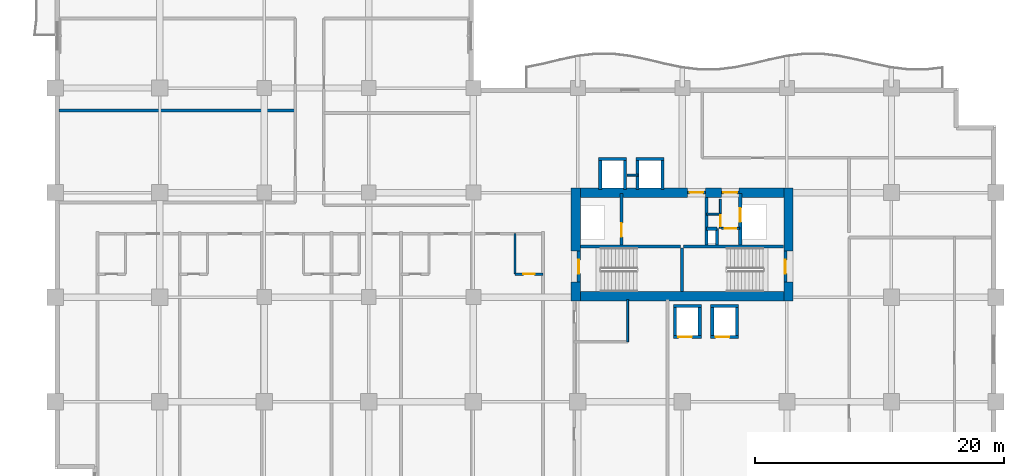
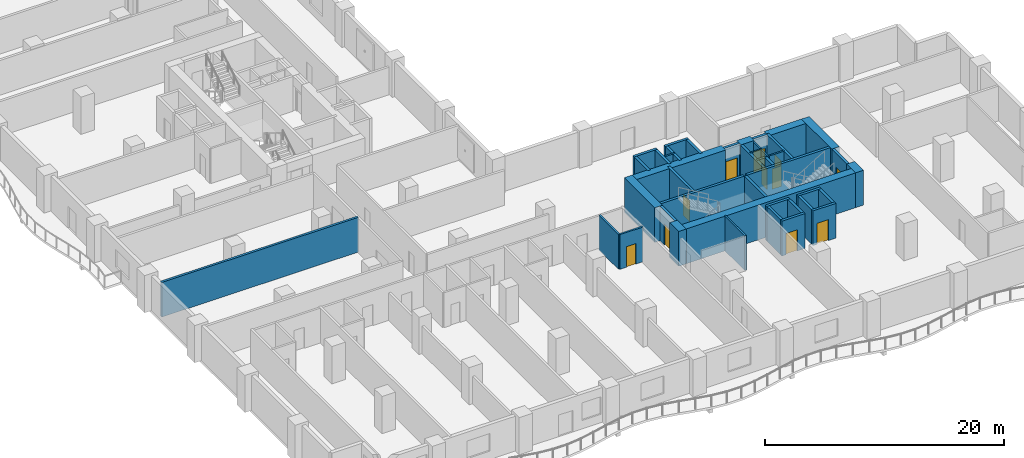
# One storey, part 5 of 17: 42 walls, 11 doors, 11 openings.
"""IFC4 building model written with IfcOpenShell, lengths in metres."""

from ifc_helpers import new_model, si_unit, direction, frame, frame_2d, origin, place, context, subcontext, project, spatial, rectangle, extrude, material, layer, layer_set, type_object, element, fill, save


model = new_model("IFC4")

# Units and contexts
model_context = context("Model", 3, precision=1e-05, world=origin(), true_north=direction((0.0, 1.0)))
body_context = subcontext(model_context, "Body", "Model", "MODEL_VIEW")
ifc_project = project(units=[si_unit("LENGTHUNIT", "METRE"), si_unit("AREAUNIT", "SQUARE_METRE"), si_unit("VOLUMEUNIT", "CUBIC_METRE"), si_unit("PLANEANGLEUNIT", "RADIAN"), si_unit("MASSUNIT", "GRAM", prefix="KILO")], contexts=[model_context])

# Site, building, storey
site_placement = place(None, origin())
site = spatial("IfcSite", under=ifc_project, at=site_placement, CompositionType="ELEMENT")
building_placement = place(site_placement, origin())
building = spatial("IfcBuilding", under=site, at=building_placement, Name="Koriwani Terraces Tower", CompositionType="ELEMENT")
storey_placement = place(building_placement, frame((0.0, 0.0, 122.800048828125)))
storey = spatial("IfcBuildingStorey", under=building, at=storey_placement, Name="L29", CompositionType="ELEMENT", Elevation=122.800048828125)

# Walls
ifc_material_1 = material(Name="Concrete C60/75", Category="concrete")
ifc_layer_1 = layer(ifc_material_1, 0.75, Name="Concrete C60/75")
ifc_layer_set_1 = layer_set([ifc_layer_1], Name="Concrete C60/75")
wall_type_1 = type_object("IfcWallType", Name="WALL_CORE_RC_750", PredefinedType="SHEAR", material=ifc_layer_set_1)
wall_1_placement = place(storey_placement, frame((41.824951171875, 16.5, 0.0), z_axis=(0.0, 0.0, 1.0), x_axis=(0.0, 1.0, 0.0)))
element("IfcWall", 1, at=wall_1_placement, inside=storey, type_object=wall_type_1, Name="L29 East Split Core Shear Wall W1", PredefinedType="SHEAR", context=body_context, shape_type="SweptSolid", body=[
    extrude(rectangle(XDim=1.5, YDim=0.75, at=frame_2d((0.75, 0.0))), origin(), (0.0, 0.0, 1.0), 3.550048828125),
])
wall_2_placement = place(storey_placement, frame((41.824951171875, 20.5, 0.0), z_axis=(0.0, 0.0, 1.0), x_axis=(0.0, 1.0, 0.0)))
element("IfcWall", 2, at=wall_2_placement, inside=storey, type_object=wall_type_1, Name="L29 East Split Core Shear Wall W2", PredefinedType="SHEAR", context=body_context, shape_type="SweptSolid", body=[
    extrude(rectangle(XDim=5.074951171875, YDim=0.75, at=frame_2d((2.53759765625, 0.0))), origin(), (0.0, 0.0, 1.0), 3.550048828125),
])
wall_3_placement = place(storey_placement, frame((58.925048828125, 16.5, 0.0), z_axis=(0.0, 0.0, 1.0), x_axis=(0.0, 1.0, 0.0)))
element("IfcWall", 3, at=wall_3_placement, inside=storey, type_object=wall_type_1, Name="L29 East Split Core Shear Wall E1", PredefinedType="SHEAR", context=body_context, shape_type="SweptSolid", body=[
    extrude(rectangle(XDim=1.5, YDim=0.75, at=frame_2d((0.75, 0.0))), origin(), (0.0, 0.0, 1.0), 3.550048828125),
])
wall_4_placement = place(storey_placement, frame((58.925048828125, 20.5, 0.0), z_axis=(0.0, 0.0, 1.0), x_axis=(0.0, 1.0, 0.0)))
element("IfcWall", 4, at=wall_4_placement, inside=storey, type_object=wall_type_1, Name="L29 East Split Core Shear Wall E2", PredefinedType="SHEAR", context=body_context, shape_type="SweptSolid", body=[
    extrude(rectangle(XDim=5.074951171875, YDim=0.75, at=frame_2d((2.53759765625, 0.0))), origin(), (0.0, 0.0, 1.0), 3.550048828125),
])
wall_5_placement = place(storey_placement, frame((42.199951171875, 16.875, 0.0), z_axis=(0.0, 0.0, 1.0), x_axis=(1.0, 0.0, 0.0)))
element("IfcWall", 5, at=wall_5_placement, inside=storey, type_object=wall_type_1, Name="L29 East Split Core Shear Wall S1", PredefinedType="SHEAR", context=body_context, shape_type="SweptSolid", body=[
    extrude(rectangle(XDim=16.35009765625, YDim=0.75, at=frame_2d((8.175048828125, 0.0))), origin(), (0.0, 0.0, 1.0), 3.550048828125),
])
wall_6_placement = place(storey_placement, frame((42.199951171875, 25.199951171875, 0.0), z_axis=(0.0, 0.0, 1.0), x_axis=(1.0, 0.0, 0.0)))
element("IfcWall", 6, at=wall_6_placement, inside=storey, type_object=wall_type_1, Name="L29 East Split Core Shear Wall N1", PredefinedType="SHEAR", context=body_context, shape_type="SweptSolid", body=[
    extrude(rectangle(XDim=8.60009765625, YDim=0.75, at=frame_2d((4.300048828125, 0.0))), origin(), (0.0, 0.0, 1.0), 3.550048828125),
])
wall_7_placement = place(storey_placement, frame((52.280029296875, 25.199951171875, 0.0), z_axis=(0.0, 0.0, 1.0), x_axis=(1.0, 0.0, 0.0)))
element("IfcWall", 7, at=wall_7_placement, inside=storey, type_object=wall_type_1, Name="L29 East Split Core Shear Wall N2", PredefinedType="SHEAR", context=body_context, shape_type="SweptSolid", body=[
    extrude(rectangle(XDim=1.27001953125, YDim=0.75, at=frame_2d((0.635009765625, 0.0))), origin(), (0.0, 0.0, 1.0), 3.550048828125),
])
wall_8_placement = place(storey_placement, frame((54.949951171875, 25.199951171875, 0.0), z_axis=(0.0, 0.0, 1.0), x_axis=(1.0, 0.0, 0.0)))
element("IfcWall", 8, at=wall_8_placement, inside=storey, type_object=wall_type_1, Name="L29 East Split Core Shear Wall N3", PredefinedType="SHEAR", context=body_context, shape_type="SweptSolid", body=[
    extrude(rectangle(XDim=3.60009765625, YDim=0.75, at=frame_2d((1.800048828125, 0.0))), origin(), (0.0, 0.0, 1.0), 3.550048828125),
])
ifc_material_2 = material(Name="Autoclaved Cellular Concrete Blockwork", Category="masonry")
ifc_layer_2 = layer(ifc_material_2, 0.219970703125, Name="Autoclaved Cellular Concrete Blockwork")
ifc_layer_set_2 = layer_set([ifc_layer_2], Name="Autoclaved Cellular Concrete Blockwork")
wall_type_2 = type_object("IfcWallType", Name="WALL_DEMISING_220", PredefinedType="PARTITIONING", material=ifc_layer_set_2)
wall_9_placement = place(storey_placement, frame((0.300048828125, 31.800048828125, 0.0), z_axis=(0.0, 0.0, 1.0), x_axis=(1.0, 0.0, 0.0)))
element("IfcWall", 9, at=wall_9_placement, inside=storey, type_object=wall_type_2, Name="L29 Interior Wall WC2NWCLM-L29", PredefinedType="PARTITIONING", context=body_context, shape_type="SweptSolid", body=[
    extrude(rectangle(XDim=19.0, YDim=0.219970703125, at=frame_2d((9.5, 0.0))), origin(), (0.0, 0.0, 1.0), 3.550048828125),
])

# Wall, opening, door
ifc_material_3 = material(Name="Fire-Rated Acoustic Gypsum Partition", Category="masonry")
ifc_layer_3 = layer(ifc_material_3, 0.179931640625, Name="Fire-Rated Acoustic Gypsum Partition")
ifc_layer_set_3 = layer_set([ifc_layer_3], Name="Fire-Rated Acoustic Gypsum Partition")
wall_type_3 = type_object("IfcWallType", Name="WALL_PLUMBING_180", PredefinedType="PLUMBINGWALL", material=ifc_layer_set_3)
wall_10_placement = place(storey_placement, frame((36.949951171875, 18.64990234375, 0.0), z_axis=(0.0, 0.0, 1.0), x_axis=(1.0, 0.0, 0.0)))
wall_10 = element("IfcWall", 10, at=wall_10_placement, inside=storey, type_object=wall_type_3, Name="L29 Interior Wall WBTH1-L29-SW-5", PredefinedType="PLUMBINGWALL", context=body_context, shape_type="SweptSolid", body=[
    extrude(rectangle(XDim=2.25, YDim=0.179931640625, at=frame_2d((1.125, 0.0))), origin(), (0.0, 0.0, 1.0), 3.550048828125),
])
opening_1_placement = place(wall_10_placement, frame((0.675048828125, 0.0, 0.0)))
opening_1 = element("IfcOpeningElement", 11, at=opening_1_placement, cuts=wall_10, Name="Opening D-07", PredefinedType="OPENING", context=body_context, shape_type="SweptSolid", body=[
    extrude(rectangle(XDim=0.89990234375, YDim=2.10009765625, at=frame_2d((0.449951171875, 1.050048828125))), frame((0.0, 0.10009765625, 0.0), z_axis=(0.0, -1.0, 0.0), x_axis=(1.0, 0.0, 0.0)), (0.0, 0.0, 1.0), 0.199951171875),
])
ifc_material_4 = material(Name="Architectural Oak Fire Door", Category="wood")
door_type_1 = type_object("IfcDoorType", Name="DOOR_BATH_INT_900X2100", OperationType="NOTDEFINED", PredefinedType="DOOR", material=ifc_material_4)
door_1_placement = place(opening_1_placement, origin())
door_1 = element("IfcDoor", 12, at=door_1_placement, inside=storey, type_object=door_type_1, Name="En-Suite Bathroom 29SW6 Door", OperationType="SINGLE_SWING_RIGHT", OverallHeight=2.10009765625, OverallWidth=0.89990234375, PredefinedType="DOOR", context=body_context, shape_type="SweptSolid", body=[
    extrude(rectangle(XDim=0.89990234375, YDim=2.10009765625, at=frame_2d((0.449951171875, 1.050048828125))), frame((0.0, 0.02490234375, 0.0), z_axis=(0.0, -1.0, 0.0), x_axis=(1.0, 0.0, 0.0)), (0.0, 0.0, 1.0), 0.050048828125),
])
fill(opening_1, door_1)

# Walls
wall_11_placement = place(storey_placement, frame((36.949951171875, 18.64990234375, 0.0), z_axis=(0.0, 0.0, 1.0), x_axis=(0.0, 1.0, 0.0)))
element("IfcWall", 13, at=wall_11_placement, inside=storey, type_object=wall_type_3, Name="L29 Interior Wall WBTH2-L29-SW-5", PredefinedType="PLUMBINGWALL", context=body_context, shape_type="SweptSolid", body=[
    extrude(rectangle(XDim=3.25, YDim=0.179931640625, at=frame_2d((1.625, 0.0))), origin(), (0.0, 0.0, 1.0), 3.550048828125),
])
ifc_material_5 = material(Name="Concrete C40/50", Category="concrete")
ifc_layer_4 = layer(ifc_material_5, 0.25, Name="Concrete C40/50")
ifc_layer_set_4 = layer_set([ifc_layer_4], Name="Concrete C40/50")
wall_type_4 = type_object("IfcWallType", Name="WALL_SHAFT_RATED_250", PredefinedType="SOLIDWALL", material=ifc_layer_set_4)
for number, where, z_axis, x_axis, name in (
    (14, (42.199951171875, 20.875, 0.0), (0.0, 0.0, 1.0), (1.0, 0.0, 0.0), "L29 East Split Core Web Wall MID1"),
    (15, (50.5, 20.875, 0.0), (0.0, 0.0, 1.0), (1.0, 0.0, 0.0), "L29 East Split Core Web Wall MID2"),
):
    element("IfcWall", number, at=place(storey_placement, frame(where, z_axis=z_axis, x_axis=x_axis)), inside=storey, type_object=wall_type_4, Name=name, PredefinedType="SOLIDWALL", context=body_context, shape_type="SweptSolid", body=[
        extrude(rectangle(XDim=8.050048828125, YDim=0.25, at=frame_2d((4.02490234375, 0.0))), origin(), (0.0, 0.0, 1.0), 3.550048828125),
    ])
wall_12_placement = place(storey_placement, frame((50.375, 17.25, 0.0), z_axis=(0.0, 0.0, 1.0), x_axis=(0.0, 1.0, 0.0)))
element("IfcWall", 16, at=wall_12_placement, inside=storey, type_object=wall_type_4, Name="L29 East Split Core Stair Dividing Wall", PredefinedType="SOLIDWALL", context=body_context, shape_type="SweptSolid", body=[
    extrude(rectangle(XDim=3.5, YDim=0.25, at=frame_2d((1.75, 0.0))), origin(), (0.0, 0.0, 1.0), 3.550048828125),
])

# Wall, opening, door
wall_13_placement = place(storey_placement, frame((42.074951171875, 18.0, 0.0), z_axis=(0.0, 0.0, 1.0), x_axis=(0.0, 1.0, 0.0)))
wall_13 = element("IfcWall", 17, at=wall_13_placement, inside=storey, type_object=wall_type_4, Name="L29 Interior Wall WIN-CE-L29-STW", PredefinedType="SOLIDWALL", context=body_context, shape_type="SweptSolid", body=[
    extrude(rectangle(XDim=2.5, YDim=0.25, at=frame_2d((1.25, 0.0))), origin(), (0.0, 0.0, 1.0), 3.550048828125),
])
opening_2_placement = place(wall_13_placement, frame((0.699951171875, 0.0, 0.0)))
opening_2 = element("IfcOpeningElement", 18, at=opening_2_placement, cuts=wall_13, Name="Opening D-03", PredefinedType="OPENING", context=body_context, shape_type="SweptSolid", body=[
    extrude(rectangle(XDim=1.10009765625, YDim=2.14990234375, at=frame_2d((0.550048828125, 1.074951171875))), frame((0.0, 0.135009765625, 0.0), z_axis=(0.0, -1.0, 0.0), x_axis=(1.0, 0.0, 0.0)), (0.0, 0.0, 1.0), 0.27001953125),
])
ifc_material_6 = material(Name="Steel ASTM A572 Grade 50", Category="steel")
door_type_2 = type_object("IfcDoorType", Name="DOOR_STAIR_FIRE_1100X2150", OperationType="NOTDEFINED", PredefinedType="DOOR", material=ifc_material_6)
door_2_placement = place(opening_2_placement, origin())
door_2 = element("IfcDoor", 19, at=door_2_placement, inside=storey, type_object=door_type_2, Name="L29 Exit Stair ST-E1 Door", OperationType="SINGLE_SWING_RIGHT", OverallHeight=2.14990234375, OverallWidth=1.10009765625, PredefinedType="DOOR", context=body_context, shape_type="SweptSolid", body=[
    extrude(rectangle(XDim=1.10009765625, YDim=2.14990234375, at=frame_2d((0.550048828125, 1.074951171875))), frame((0.0, 0.02490234375, 0.0), z_axis=(0.0, -1.0, 0.0), x_axis=(1.0, 0.0, 0.0)), (0.0, 0.0, 1.0), 0.050048828125),
])
fill(opening_2, door_2)

wall_14_placement = place(storey_placement, frame((58.675048828125, 18.0, 0.0), z_axis=(0.0, 0.0, 1.0), x_axis=(0.0, 1.0, 0.0)))
wall_14 = element("IfcWall", 20, at=wall_14_placement, inside=storey, type_object=wall_type_4, Name="L29 Interior Wall WIN-CE-L29-STE", PredefinedType="SOLIDWALL", context=body_context, shape_type="SweptSolid", body=[
    extrude(rectangle(XDim=2.5, YDim=0.25, at=frame_2d((1.25, 0.0))), origin(), (0.0, 0.0, 1.0), 3.550048828125),
])
opening_3_placement = place(wall_14_placement, frame((0.699951171875, 0.0, 0.0)))
opening_3 = element("IfcOpeningElement", 21, at=opening_3_placement, cuts=wall_14, Name="Opening D-03", PredefinedType="OPENING", context=body_context, shape_type="SweptSolid", body=[
    extrude(rectangle(XDim=1.10009765625, YDim=2.14990234375, at=frame_2d((0.550048828125, 1.074951171875))), frame((0.0, 0.135009765625, 0.0), z_axis=(0.0, -1.0, 0.0), x_axis=(1.0, 0.0, 0.0)), (0.0, 0.0, 1.0), 0.27001953125),
])
door_3_placement = place(opening_3_placement, origin())
door_3 = element("IfcDoor", 22, at=door_3_placement, inside=storey, type_object=door_type_2, Name="L29 Exit Stair ST-E2 Door", OperationType="SINGLE_SWING_LEFT", OverallHeight=2.14990234375, OverallWidth=1.10009765625, PredefinedType="DOOR", context=body_context, shape_type="SweptSolid", body=[
    extrude(rectangle(XDim=1.10009765625, YDim=2.14990234375, at=frame_2d((0.550048828125, 1.074951171875))), frame((0.0, 0.02490234375, 0.0), z_axis=(0.0, -1.0, 0.0), x_axis=(1.0, 0.0, 0.0)), (0.0, 0.0, 1.0), 0.050048828125),
])
fill(opening_3, door_3)

wall_15_placement = place(storey_placement, frame((45.5, 21.0, 0.0), z_axis=(0.0, 0.0, 1.0), x_axis=(0.0, 1.0, 0.0)))
wall_15 = element("IfcWall", 23, at=wall_15_placement, inside=storey, type_object=wall_type_4, Name="L29 Interior Wall WIN-CE-L29-FE", PredefinedType="SOLIDWALL", context=body_context, shape_type="SweptSolid", body=[
    extrude(rectangle(XDim=4.14990234375, YDim=0.25, at=frame_2d((2.074951171875, 0.0))), origin(), (0.0, 0.0, 1.0), 3.550048828125),
])
opening_4_placement = place(wall_15_placement, frame((0.64990234375, 0.0, 0.0)))
opening_4 = element("IfcOpeningElement", 24, at=opening_4_placement, cuts=wall_15, Name="Opening LD-01", PredefinedType="OPENING", context=body_context, shape_type="SweptSolid", body=[
    extrude(rectangle(XDim=1.10009765625, YDim=2.14990234375, at=frame_2d((0.550048828125, 1.074951171875))), frame((0.0, 0.135009765625, 0.0), z_axis=(0.0, -1.0, 0.0), x_axis=(1.0, 0.0, 0.0)), (0.0, 0.0, 1.0), 0.27001953125),
])
door_type_3 = type_object("IfcDoorType", Name="DOOR_LIFT_LANDING_1100X2200", OperationType="NOTDEFINED", PredefinedType="DOOR", material=ifc_material_6)
door_4_placement = place(opening_4_placement, origin())
door_4 = element("IfcDoor", 25, at=door_4_placement, inside=storey, type_object=door_type_3, Name="L29 Firefighting Lift FE-02 Landing Door", OperationType="SLIDING_TO_LEFT", OverallHeight=2.14990234375, OverallWidth=1.10009765625, PredefinedType="DOOR", context=body_context, shape_type="SweptSolid", body=[
    extrude(rectangle(XDim=1.10009765625, YDim=2.14990234375, at=frame_2d((0.550048828125, 1.074951171875))), frame((0.0, 0.02490234375, 0.0), z_axis=(0.0, -1.0, 0.0), x_axis=(1.0, 0.0, 0.0)), (0.0, 0.0, 1.0), 0.050048828125),
])
fill(opening_4, door_4)

wall_16_placement = place(storey_placement, frame((50.800048828125, 25.199951171875, 0.0), z_axis=(0.0, 0.0, 1.0), x_axis=(1.0, 0.0, 0.0)))
wall_16 = element("IfcWall", 26, at=wall_16_placement, inside=storey, type_object=wall_type_4, Name="L29 Interior Wall WIN-CE-L29-NP", PredefinedType="SOLIDWALL", context=body_context, shape_type="SweptSolid", body=[
    extrude(rectangle(XDim=1.47998046875, YDim=0.25, at=frame_2d((0.739990234375, 0.0))), origin(), (0.0, 0.0, 1.0), 3.550048828125),
])
opening_5_placement = place(wall_16_placement, frame((0.179931640625, 0.0, 0.0)))
opening_5 = element("IfcOpeningElement", 27, at=opening_5_placement, cuts=wall_16, Name="Opening D-03", PredefinedType="OPENING", context=body_context, shape_type="SweptSolid", body=[
    extrude(rectangle(XDim=1.10009765625, YDim=2.14990234375, at=frame_2d((0.550048828125, 1.074951171875))), frame((0.0, 0.135009765625, 0.0), z_axis=(0.0, -1.0, 0.0), x_axis=(1.0, 0.0, 0.0)), (0.0, 0.0, 1.0), 0.27001953125),
])
door_5_placement = place(opening_5_placement, origin())
door_5 = element("IfcDoor", 28, at=door_5_placement, inside=storey, type_object=door_type_2, Name="L29 East Firefighting Lobby Door", OperationType="SINGLE_SWING_RIGHT", OverallHeight=2.14990234375, OverallWidth=1.10009765625, PredefinedType="DOOR", context=body_context, shape_type="SweptSolid", body=[
    extrude(rectangle(XDim=1.10009765625, YDim=2.14990234375, at=frame_2d((0.550048828125, 1.074951171875))), frame((0.0, 0.02490234375, 0.0), z_axis=(0.0, -1.0, 0.0), x_axis=(1.0, 0.0, 0.0)), (0.0, 0.0, 1.0), 0.050048828125),
])
fill(opening_5, door_5)

# Wall
wall_17_placement = place(storey_placement, frame((52.340087890625, 21.0, 0.0), z_axis=(0.0, 0.0, 1.0), x_axis=(0.0, 1.0, 0.0)))
element("IfcWall", 29, at=wall_17_placement, inside=storey, type_object=wall_type_4, Name="L29 Interior Wall WIN-CE-L29-FFE", PredefinedType="SOLIDWALL", context=body_context, shape_type="SweptSolid", body=[
    extrude(rectangle(XDim=3.824951171875, YDim=0.25, at=frame_2d((1.91259765625, 0.0))), origin(), (0.0, 0.0, 1.0), 3.550048828125),
])

# Wall, opening, door
wall_18_placement = place(storey_placement, frame((55.050048828125, 21.0, 0.0), z_axis=(0.0, 0.0, 1.0), x_axis=(0.0, 1.0, 0.0)))
wall_18 = element("IfcWall", 30, at=wall_18_placement, inside=storey, type_object=wall_type_4, Name="L29 Interior Wall WIN-CE-L29-SE", PredefinedType="SOLIDWALL", context=body_context, shape_type="SweptSolid", body=[
    extrude(rectangle(XDim=4.14990234375, YDim=0.25, at=frame_2d((2.074951171875, 0.0))), origin(), (0.0, 0.0, 1.0), 3.550048828125),
])
opening_6_placement = place(wall_18_placement, frame((1.85009765625, 0.0, 0.0)))
opening_6 = element("IfcOpeningElement", 31, at=opening_6_placement, cuts=wall_18, Name="Opening LD-01", PredefinedType="OPENING", context=body_context, shape_type="SweptSolid", body=[
    extrude(rectangle(XDim=1.10009765625, YDim=2.14990234375, at=frame_2d((0.550048828125, 1.074951171875))), frame((0.0, 0.135009765625, 0.0), z_axis=(0.0, -1.0, 0.0), x_axis=(1.0, 0.0, 0.0)), (0.0, 0.0, 1.0), 0.27001953125),
])
door_6_placement = place(opening_6_placement, origin())
door_6 = element("IfcDoor", 32, at=door_6_placement, inside=storey, type_object=door_type_3, Name="L29 Goods Lift SE-02 Landing Door", OperationType="SLIDING_TO_LEFT", OverallHeight=2.14990234375, OverallWidth=1.10009765625, PredefinedType="DOOR", context=body_context, shape_type="SweptSolid", body=[
    extrude(rectangle(XDim=1.10009765625, YDim=2.14990234375, at=frame_2d((0.550048828125, 1.074951171875))), frame((0.0, 0.02490234375, 0.0), z_axis=(0.0, -1.0, 0.0), x_axis=(1.0, 0.0, 0.0)), (0.0, 0.0, 1.0), 0.050048828125),
])
fill(opening_6, door_6)

wall_19_placement = place(storey_placement, frame((53.550048828125, 25.199951171875, 0.0), z_axis=(0.0, 0.0, 1.0), x_axis=(1.0, 0.0, 0.0)))
wall_19 = element("IfcWall", 33, at=wall_19_placement, inside=storey, type_object=wall_type_4, Name="L29 Interior Wall WIN-CE-L29-NP2", PredefinedType="SOLIDWALL", context=body_context, shape_type="SweptSolid", body=[
    extrude(rectangle(XDim=1.39990234375, YDim=0.25, at=frame_2d((0.699951171875, 0.0))), origin(), (0.0, 0.0, 1.0), 3.550048828125),
])
opening_7_placement = place(wall_19_placement, frame((0.14990234375, 0.0, 0.0)))
opening_7 = element("IfcOpeningElement", 34, at=opening_7_placement, cuts=wall_19, Name="Opening D-03", PredefinedType="OPENING", context=body_context, shape_type="SweptSolid", body=[
    extrude(rectangle(XDim=1.10009765625, YDim=2.14990234375, at=frame_2d((0.550048828125, 1.074951171875))), frame((0.0, 0.135009765625, 0.0), z_axis=(0.0, -1.0, 0.0), x_axis=(1.0, 0.0, 0.0)), (0.0, 0.0, 1.0), 0.27001953125),
])
door_7_placement = place(opening_7_placement, origin())
door_7 = element("IfcDoor", 35, at=door_7_placement, inside=storey, type_object=door_type_2, Name="L29 East Goods Lift Lobby Door", OperationType="SINGLE_SWING_LEFT", OverallHeight=2.14990234375, OverallWidth=1.10009765625, PredefinedType="DOOR", context=body_context, shape_type="SweptSolid", body=[
    extrude(rectangle(XDim=1.10009765625, YDim=2.14990234375, at=frame_2d((0.550048828125, 1.074951171875))), frame((0.0, 0.02490234375, 0.0), z_axis=(0.0, -1.0, 0.0), x_axis=(1.0, 0.0, 0.0)), (0.0, 0.0, 1.0), 0.050048828125),
])
fill(opening_7, door_7)

# Walls
wall_20_placement = place(storey_placement, frame((53.199951171875, 21.0, 0.0), z_axis=(0.0, 0.0, 1.0), x_axis=(0.0, 1.0, 0.0)))
element("IfcWall", 36, at=wall_20_placement, inside=storey, type_object=wall_type_4, Name="L29 Interior Wall WIN-CE-L29-RS1", PredefinedType="SOLIDWALL", context=body_context, shape_type="SweptSolid", body=[
    extrude(rectangle(XDim=1.300048828125, YDim=0.25, at=frame_2d((0.64990234375, 0.0))), origin(), (0.0, 0.0, 1.0), 3.550048828125),
])
wall_21_placement = place(storey_placement, frame((52.360107421875, 22.300048828125, 0.0), z_axis=(0.0, 0.0, 1.0), x_axis=(1.0, 0.0, 0.0)))
element("IfcWall", 37, at=wall_21_placement, inside=storey, type_object=wall_type_4, Name="L29 Interior Wall WIN-CE-L29-RS2", PredefinedType="SOLIDWALL", context=body_context, shape_type="SweptSolid", body=[
    extrude(rectangle(XDim=0.83984375, YDim=0.25, at=frame_2d((0.419921875, 0.0))), origin(), (0.0, 0.0, 1.0), 3.550048828125),
])

# Wall, opening, door
wall_22_placement = place(storey_placement, frame((49.675048828125, 13.60009765625, 0.0), z_axis=(0.0, 0.0, 1.0), x_axis=(1.0, 0.0, 0.0)))
wall_22 = element("IfcWall", 38, at=wall_22_placement, inside=storey, type_object=wall_type_4, Name="L29 Interior Wall WIN-LF-PE-M3-L29-F", PredefinedType="SOLIDWALL", context=body_context, shape_type="SweptSolid", body=[
    extrude(rectangle(XDim=2.25, YDim=0.25, at=frame_2d((1.125, 0.0))), origin(), (0.0, 0.0, 1.0), 3.550048828125),
])
opening_8_placement = place(wall_22_placement, frame((0.39990234375, 0.0, 0.0)))
opening_8 = element("IfcOpeningElement", 39, at=opening_8_placement, cuts=wall_22, Name="Opening LD-01", PredefinedType="OPENING", context=body_context, shape_type="SweptSolid", body=[
    extrude(rectangle(XDim=1.10009765625, YDim=2.14990234375, at=frame_2d((0.550048828125, 1.074951171875))), frame((0.0, 0.135009765625, 0.0), z_axis=(0.0, -1.0, 0.0), x_axis=(1.0, 0.0, 0.0)), (0.0, 0.0, 1.0), 0.27001953125),
])
door_8_placement = place(opening_8_placement, origin())
door_8 = element("IfcDoor", 40, at=door_8_placement, inside=storey, type_object=door_type_3, Name="L29 Passenger Lift PE-M3 Landing Door", OperationType="SLIDING_TO_LEFT", OverallHeight=2.14990234375, OverallWidth=1.10009765625, PredefinedType="DOOR", context=body_context, shape_type="SweptSolid", body=[
    extrude(rectangle(XDim=1.10009765625, YDim=2.14990234375, at=frame_2d((0.550048828125, 1.074951171875))), frame((0.0, 0.02490234375, 0.0), z_axis=(0.0, -1.0, 0.0), x_axis=(1.0, 0.0, 0.0)), (0.0, 0.0, 1.0), 0.050048828125),
])
fill(opening_8, door_8)

# Walls
for number, where, z_axis, x_axis, name in (
    (41, (49.675048828125, 16.10009765625, 0.0), (0.0, 0.0, 1.0), (1.0, 0.0, 0.0), "L29 Interior Wall WIN-LF-PE-M3-L29-B"),
    (42, (49.800048828125, 13.72509765625, 0.0), (0.0, 0.0, 1.0), (0.0, 1.0, 0.0), "L29 Interior Wall WIN-LF-PE-M3-L29-W"),
    (43, (51.800048828125, 13.72509765625, 0.0), (0.0, 0.0, 1.0), (0.0, 1.0, 0.0), "L29 Interior Wall WIN-LF-PE-M3-L29-E"),
):
    element("IfcWall", number, at=place(storey_placement, frame(where, z_axis=z_axis, x_axis=x_axis)), inside=storey, type_object=wall_type_4, Name=name, PredefinedType="SOLIDWALL", context=body_context, shape_type="SweptSolid", body=[
        extrude(rectangle(XDim=2.25, YDim=0.25, at=frame_2d((1.125, 0.0))), origin(), (0.0, 0.0, 1.0), 3.550048828125),
    ])

# Wall, opening, door
wall_23_placement = place(storey_placement, frame((52.675048828125, 13.60009765625, 0.0), z_axis=(0.0, 0.0, 1.0), x_axis=(1.0, 0.0, 0.0)))
wall_23 = element("IfcWall", 44, at=wall_23_placement, inside=storey, type_object=wall_type_4, Name="L29 Interior Wall WIN-LF-PE-M4-L29-F", PredefinedType="SOLIDWALL", context=body_context, shape_type="SweptSolid", body=[
    extrude(rectangle(XDim=2.25, YDim=0.25, at=frame_2d((1.125, 0.0))), origin(), (0.0, 0.0, 1.0), 3.550048828125),
])
opening_9_placement = place(wall_23_placement, frame((0.39990234375, 0.0, 0.0)))
opening_9 = element("IfcOpeningElement", 45, at=opening_9_placement, cuts=wall_23, Name="Opening LD-01", PredefinedType="OPENING", context=body_context, shape_type="SweptSolid", body=[
    extrude(rectangle(XDim=1.10009765625, YDim=2.14990234375, at=frame_2d((0.550048828125, 1.074951171875))), frame((0.0, 0.135009765625, 0.0), z_axis=(0.0, -1.0, 0.0), x_axis=(1.0, 0.0, 0.0)), (0.0, 0.0, 1.0), 0.27001953125),
])
door_9_placement = place(opening_9_placement, origin())
door_9 = element("IfcDoor", 46, at=door_9_placement, inside=storey, type_object=door_type_3, Name="L29 Passenger Lift PE-M4 Landing Door", OperationType="SLIDING_TO_LEFT", OverallHeight=2.14990234375, OverallWidth=1.10009765625, PredefinedType="DOOR", context=body_context, shape_type="SweptSolid", body=[
    extrude(rectangle(XDim=1.10009765625, YDim=2.14990234375, at=frame_2d((0.550048828125, 1.074951171875))), frame((0.0, 0.02490234375, 0.0), z_axis=(0.0, -1.0, 0.0), x_axis=(1.0, 0.0, 0.0)), (0.0, 0.0, 1.0), 0.050048828125),
])
fill(opening_9, door_9)

# Walls
for number, where, z_axis, x_axis, name in (
    (47, (52.675048828125, 16.10009765625, 0.0), (0.0, 0.0, 1.0), (1.0, 0.0, 0.0), "L29 Interior Wall WIN-LF-PE-M4-L29-B"),
    (48, (52.800048828125, 13.72509765625, 0.0), (0.0, 0.0, 1.0), (0.0, 1.0, 0.0), "L29 Interior Wall WIN-LF-PE-M4-L29-W"),
    (49, (54.800048828125, 13.72509765625, 0.0), (0.0, 0.0, 1.0), (0.0, 1.0, 0.0), "L29 Interior Wall WIN-LF-PE-M4-L29-E"),
    (50, (43.675048828125, 27.89990234375, 0.0), (0.0, 0.0, 1.0), (1.0, 0.0, 0.0), "L29 Interior Wall WIN-LF-PE-H3-L29-F"),
):
    element("IfcWall", number, at=place(storey_placement, frame(where, z_axis=z_axis, x_axis=x_axis)), inside=storey, type_object=wall_type_4, Name=name, PredefinedType="SOLIDWALL", context=body_context, shape_type="SweptSolid", body=[
        extrude(rectangle(XDim=2.25, YDim=0.25, at=frame_2d((1.125, 0.0))), origin(), (0.0, 0.0, 1.0), 3.550048828125),
    ])
for number, where, z_axis, x_axis, name in (
    (51, (43.800048828125, 25.449951171875, 0.0), (0.0, 0.0, 1.0), (0.0, 1.0, 0.0), "L29 Interior Wall WIN-LF-PE-H3-L29-W"),
    (52, (45.800048828125, 25.449951171875, 0.0), (0.0, 0.0, 1.0), (0.0, 1.0, 0.0), "L29 Interior Wall WIN-LF-PE-H3-L29-E"),
):
    element("IfcWall", number, at=place(storey_placement, frame(where, z_axis=z_axis, x_axis=x_axis)), inside=storey, type_object=wall_type_4, Name=name, PredefinedType="SOLIDWALL", context=body_context, shape_type="SweptSolid", body=[
        extrude(rectangle(XDim=2.324951171875, YDim=0.25, at=frame_2d((1.16259765625, 0.0))), origin(), (0.0, 0.0, 1.0), 3.550048828125),
    ])
wall_24_placement = place(storey_placement, frame((46.675048828125, 27.89990234375, 0.0), z_axis=(0.0, 0.0, 1.0), x_axis=(1.0, 0.0, 0.0)))
element("IfcWall", 53, at=wall_24_placement, inside=storey, type_object=wall_type_4, Name="L29 Interior Wall WIN-LF-PE-H4-L29-F", PredefinedType="SOLIDWALL", context=body_context, shape_type="SweptSolid", body=[
    extrude(rectangle(XDim=2.25, YDim=0.25, at=frame_2d((1.125, 0.0))), origin(), (0.0, 0.0, 1.0), 3.550048828125),
])
for number, where, z_axis, x_axis, name in (
    (54, (46.800048828125, 25.449951171875, 0.0), (0.0, 0.0, 1.0), (0.0, 1.0, 0.0), "L29 Interior Wall WIN-LF-PE-H4-L29-W"),
    (55, (48.800048828125, 25.449951171875, 0.0), (0.0, 0.0, 1.0), (0.0, 1.0, 0.0), "L29 Interior Wall WIN-LF-PE-H4-L29-E"),
):
    element("IfcWall", number, at=place(storey_placement, frame(where, z_axis=z_axis, x_axis=x_axis)), inside=storey, type_object=wall_type_4, Name=name, PredefinedType="SOLIDWALL", context=body_context, shape_type="SweptSolid", body=[
        extrude(rectangle(XDim=2.324951171875, YDim=0.25, at=frame_2d((1.16259765625, 0.0))), origin(), (0.0, 0.0, 1.0), 3.550048828125),
    ])

# Wall, opening, door
ifc_layer_5 = layer(ifc_material_3, 0.159912109375, Name="Fire-Rated Acoustic Gypsum Partition")
ifc_layer_set_5 = layer_set([ifc_layer_5], Name="Fire-Rated Acoustic Gypsum Partition")
wall_type_5 = type_object("IfcWallType", Name="WALL_SUITE_160", PredefinedType="PARTITIONING", material=ifc_layer_set_5)
wall_25_placement = place(storey_placement, frame((53.56005859375, 22.320068359375, 0.0), z_axis=(0.0, 0.0, 1.0), x_axis=(1.0, 0.0, 0.0)))
wall_25 = element("IfcWall", 56, at=wall_25_placement, inside=storey, type_object=wall_type_5, Name="L29 Interior Wall WIN-CE-L29-SV2A", PredefinedType="PARTITIONING", context=body_context, shape_type="SweptSolid", body=[
    extrude(rectangle(XDim=1.43994140625, YDim=0.159912109375, at=frame_2d((0.719970703125, 0.0))), origin(), (0.0, 0.0, 1.0), 3.550048828125),
])
opening_10_placement = place(wall_25_placement, frame((0.260009765625, 0.0, 0.0)))
opening_10 = element("IfcOpeningElement", 57, at=opening_10_placement, cuts=wall_25, Name="Opening D-07", PredefinedType="OPENING", context=body_context, shape_type="SweptSolid", body=[
    extrude(rectangle(XDim=0.89990234375, YDim=2.10009765625, at=frame_2d((0.449951171875, 1.050048828125))), frame((0.0, 0.08984375, 0.0), z_axis=(0.0, -1.0, 0.0), x_axis=(1.0, 0.0, 0.0)), (0.0, 0.0, 1.0), 0.179931640625),
])
door_10_placement = place(opening_10_placement, origin())
door_10 = element("IfcDoor", 58, at=door_10_placement, inside=storey, type_object=door_type_1, Name="L29 East Meter Room Door", OperationType="SINGLE_SWING_RIGHT", OverallHeight=2.10009765625, OverallWidth=0.89990234375, PredefinedType="DOOR", context=body_context, shape_type="SweptSolid", body=[
    extrude(rectangle(XDim=0.89990234375, YDim=2.10009765625, at=frame_2d((0.449951171875, 1.050048828125))), frame((0.0, 0.02490234375, 0.0), z_axis=(0.0, -1.0, 0.0), x_axis=(1.0, 0.0, 0.0)), (0.0, 0.0, 1.0), 0.050048828125),
])
fill(opening_10, door_10)

wall_26_placement = place(storey_placement, frame((53.4599609375, 22.320068359375, 0.0), z_axis=(0.0, 0.0, 1.0), x_axis=(0.0, 1.0, 0.0)))
wall_26 = element("IfcWall", 59, at=wall_26_placement, inside=storey, type_object=wall_type_5, Name="L29 Interior Wall WIN-CE-L29-SV2H", PredefinedType="PARTITIONING", context=body_context, shape_type="SweptSolid", body=[
    extrude(rectangle(XDim=2.35986328125, YDim=0.159912109375, at=frame_2d((1.179931640625, 0.0))), origin(), (0.0, 0.0, 1.0), 3.550048828125),
])
opening_11_placement = place(wall_26_placement, frame((0.159912109375, 0.0, 0.0)))
opening_11 = element("IfcOpeningElement", 60, at=opening_11_placement, cuts=wall_26, Name="Opening D-07", PredefinedType="OPENING", context=body_context, shape_type="SweptSolid", body=[
    extrude(rectangle(XDim=0.89990234375, YDim=2.10009765625, at=frame_2d((0.449951171875, 1.050048828125))), frame((0.0, 0.08984375, 0.0), z_axis=(0.0, -1.0, 0.0), x_axis=(1.0, 0.0, 0.0)), (0.0, 0.0, 1.0), 0.179931640625),
])
door_11_placement = place(opening_11_placement, origin())
door_11 = element("IfcDoor", 61, at=door_11_placement, inside=storey, type_object=door_type_1, Name="L29 East Valve Room Door", OperationType="SINGLE_SWING_LEFT", OverallHeight=2.10009765625, OverallWidth=0.89990234375, PredefinedType="DOOR", context=body_context, shape_type="SweptSolid", body=[
    extrude(rectangle(XDim=0.89990234375, YDim=2.10009765625, at=frame_2d((0.449951171875, 1.050048828125))), frame((0.0, 0.02490234375, 0.0), z_axis=(0.0, -1.0, 0.0), x_axis=(1.0, 0.0, 0.0)), (0.0, 0.0, 1.0), 0.050048828125),
])
fill(opening_11, door_11)

# Walls
wall_27_placement = place(storey_placement, frame((52.360107421875, 23.47998046875, 0.0), z_axis=(0.0, 0.0, 1.0), x_axis=(1.0, 0.0, 0.0)))
element("IfcWall", 62, at=wall_27_placement, inside=storey, type_object=wall_type_5, Name="L29 Interior Wall WIN-CE-L29-SV2V", PredefinedType="PARTITIONING", context=body_context, shape_type="SweptSolid", body=[
    extrude(rectangle(XDim=1.099853515625, YDim=0.159912109375, at=frame_2d((0.5498046875, 0.0))), origin(), (0.0, 0.0, 1.0), 3.550048828125),
])
wall_28_placement = place(storey_placement, frame((45.9599609375, 26.60009765625, 0.0), z_axis=(0.0, 0.0, 1.0), x_axis=(1.0, 0.0, 0.0)))
element("IfcWall", 63, at=wall_28_placement, inside=storey, type_object=wall_type_5, Name="L29 Interior Wall WIN-LF-PEH34-MID-L29", PredefinedType="PARTITIONING", context=body_context, shape_type="SweptSolid", body=[
    extrude(rectangle(XDim=0.880126953125, YDim=0.159912109375, at=frame_2d((0.43994140625, 0.0))), origin(), (0.0, 0.0, 1.0), 3.550048828125),
])
wall_29_placement = place(storey_placement, frame((46.0, 13.199951171875, 0.0), z_axis=(0.0, 0.0, 1.0), x_axis=(0.0, 1.0, 0.0)))
element("IfcWall", 64, at=wall_29_placement, inside=storey, type_object=wall_type_5, Name="L29 Interior Wall WREC-EV-L29", PredefinedType="PARTITIONING", context=body_context, shape_type="SweptSolid", body=[
    extrude(rectangle(XDim=3.400146484375, YDim=0.159912109375, at=frame_2d((1.7001953125, 0.0))), origin(), (0.0, 0.0, 1.0), 3.550048828125),
])

save(model, "model.ifc")
